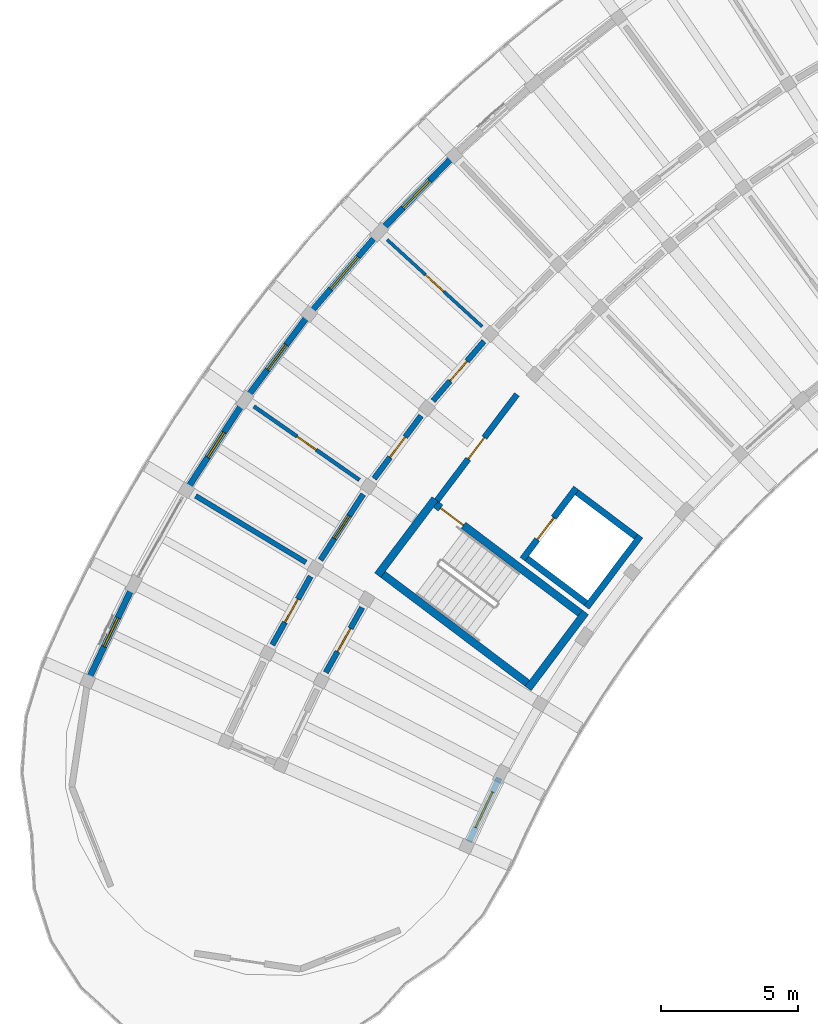
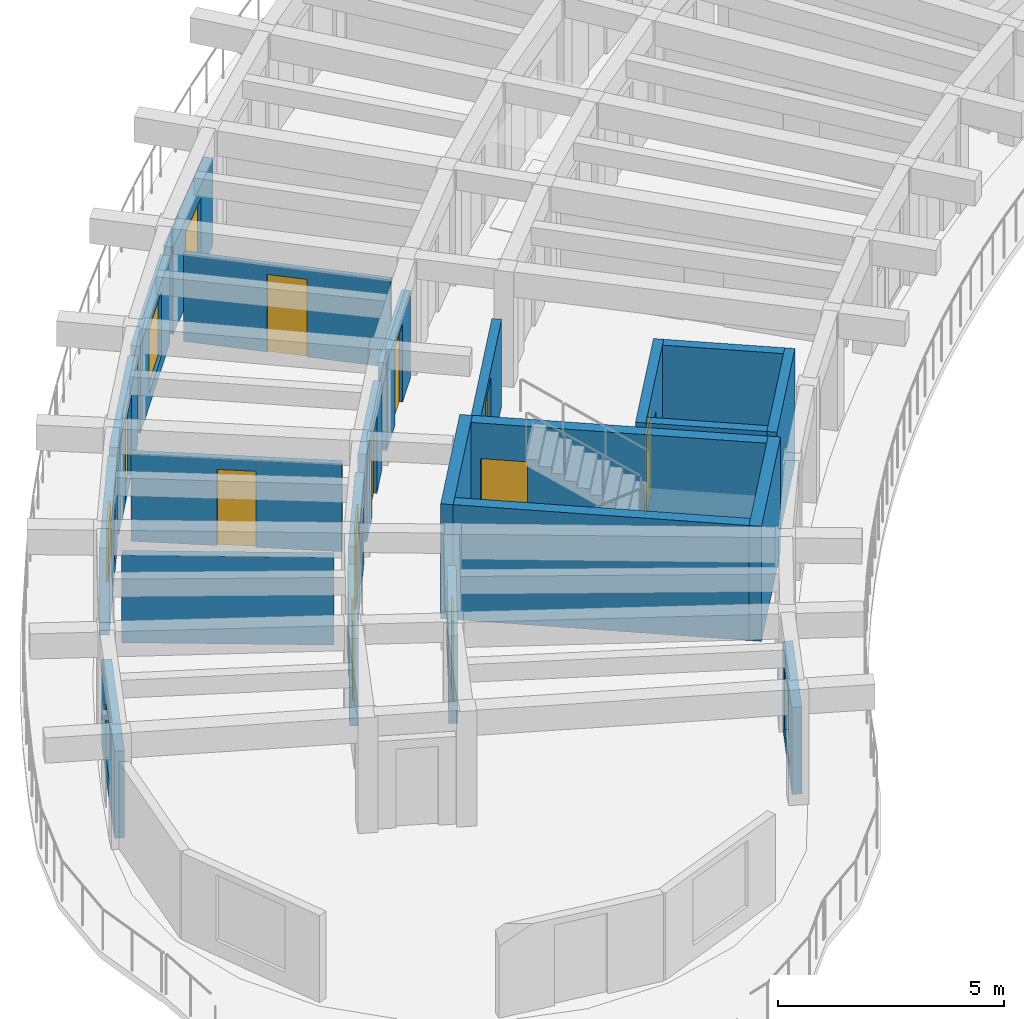
# One storey, part 19 of 36: 23 walls, 11 doors, 5 windows, 16 openings.
"""IFC4 building model written with IfcOpenShell, lengths in metres."""

from ifc_helpers import new_model, si_unit, direction, frame, frame_2d, origin, place, context, subcontext, project, spatial, rectangle, extrude, material, layer, layer_set, type_object, element, fill, save


model = new_model("IFC4")

# Units and contexts
model_context = context("Model", 3, precision=1e-05, world=origin(), true_north=direction((0.0, 1.0)))
body_context = subcontext(model_context, "Body", "Model", "MODEL_VIEW")
ifc_project = project(units=[si_unit("LENGTHUNIT", "METRE"), si_unit("AREAUNIT", "SQUARE_METRE"), si_unit("VOLUMEUNIT", "CUBIC_METRE"), si_unit("PLANEANGLEUNIT", "RADIAN"), si_unit("MASSUNIT", "GRAM", prefix="KILO")], contexts=[model_context])

# Site, building, storey
site_placement = place(None, origin())
site = spatial("IfcSite", under=ifc_project, at=site_placement, CompositionType="ELEMENT")
building_placement = place(site_placement, origin())
building = spatial("IfcBuilding", under=site, at=building_placement, Name="Tanwirah Colonnade Gardens", CompositionType="ELEMENT")
storey_placement = place(building_placement, frame((0.0, 0.0, 39.080078125)))
storey = spatial("IfcBuildingStorey", under=building, at=storey_placement, Name="L11", CompositionType="ELEMENT", Elevation=39.080078125)

# Wall, opening, window
ifc_material_1 = material(Name="Limestone architectural precast concrete C40/50", Category="masonry")
ifc_layer_1 = layer(ifc_material_1, 0.22509765625)
ifc_layer_set_1 = layer_set([ifc_layer_1], Name="Limestone architectural precast concrete C40/50")
wall_type_1 = type_object("IfcWallType", Name="EW-PC225", PredefinedType="SOLIDWALL", material=ifc_layer_set_1)
wall_1_placement = place(storey_placement, frame((23.663330078125, 103.057373046875, 0.0), z_axis=(0.0, 0.0, 1.0), x_axis=(-0.698843003546, -0.715275091412, 0.0)))
wall_1 = element("IfcWall", 1, at=wall_1_placement, inside=storey, type_object=wall_type_1, Name="Block A L11 OUT Precast Facade Wall 10", PredefinedType="SOLIDWALL", context=body_context, shape_type="SweptSolid", body=[
    extrude(rectangle(XDim=3.56591796875, YDim=0.22509765625, at=frame_2d((1.782958984375, 0.0))), origin(), (0.0, 0.0, 1.0), 2.35498046875),
])
opening_1_placement = place(wall_1_placement, frame((1.082763671875, 0.0, 0.35009765625)))
opening_1 = element("IfcOpeningElement", 2, at=opening_1_placement, cuts=wall_1, Name="Opening WIN-T06", PredefinedType="OPENING", context=body_context, shape_type="SweptSolid", body=[
    extrude(rectangle(XDim=1.39990234375, YDim=1.64990234375, at=frame_2d((0.699951171875, 0.824951171875))), frame((0.0, 0.12255859375, 0.0), z_axis=(0.0, -1.0, 0.0), x_axis=(1.0, 0.0, 0.0)), (0.0, 0.0, 1.0), 0.2451171875),
])
ifc_material_2 = material(Name="Thermally broken bronze aluminium and solar low-E double glazing", Category="aluminium")
window_type_1 = type_object("IfcWindowType", Name="WIN-T06", PartitioningType="DOUBLE_PANEL_VERTICAL", PredefinedType="WINDOW", material=ifc_material_2)
window_1_placement = place(opening_1_placement, origin())
window_1 = element("IfcWindow", 3, at=window_1_placement, inside=storey, type_object=window_type_1, Name="Facade window A-L11-OUT-10", OverallHeight=1.64990234375, OverallWidth=1.39990234375, PartitioningType="SINGLE_PANEL", PredefinedType="WINDOW", context=body_context, shape_type="SweptSolid", body=[
    extrude(rectangle(XDim=1.39990234375, YDim=1.64990234375, at=frame_2d((0.699951171875, 0.824951171875))), frame((0.0, 0.030029296875, 0.0), z_axis=(0.0, -1.0, 0.0), x_axis=(1.0, 0.0, 0.0)), (0.0, 0.0, 1.0), 0.06005859375),
])
fill(opening_1, window_1)

wall_2_placement = place(storey_placement, frame((20.948974609375, 100.263427734375, 0.0), z_axis=(0.0, 0.0, 1.0), x_axis=(-0.650170917935, -0.759787981921, 0.0)))
wall_2 = element("IfcWall", 4, at=wall_2_placement, inside=storey, type_object=wall_type_1, Name="Block A L11 OUT Precast Facade Wall 11", PredefinedType="SOLIDWALL", context=body_context, shape_type="SweptSolid", body=[
    extrude(rectangle(XDim=3.565673828125, YDim=0.22509765625, at=frame_2d((1.78271484375, 0.0))), origin(), (0.0, 0.0, 1.0), 2.35498046875),
])
opening_2_placement = place(wall_2_placement, frame((1.0078125, 0.0, 0.35009765625)))
opening_2 = element("IfcOpeningElement", 5, at=opening_2_placement, cuts=wall_2, Name="Opening WIN-T09", PredefinedType="OPENING", context=body_context, shape_type="SweptSolid", body=[
    extrude(rectangle(XDim=1.550048828125, YDim=1.75, at=frame_2d((0.77490234375, 0.875))), frame((0.0, 0.12255859375, 0.0), z_axis=(0.0, -1.0, 0.0), x_axis=(1.0, 0.0, 0.0)), (0.0, 0.0, 1.0), 0.2451171875),
])
window_type_2 = type_object("IfcWindowType", Name="WIN-T09", PartitioningType="DOUBLE_PANEL_VERTICAL", PredefinedType="WINDOW", material=ifc_material_2)
window_2_placement = place(opening_2_placement, origin())
window_2 = element("IfcWindow", 6, at=window_2_placement, inside=storey, type_object=window_type_2, Name="Facade window A-L11-OUT-11", OverallHeight=1.75, OverallWidth=1.550048828125, PartitioningType="SINGLE_PANEL", PredefinedType="WINDOW", context=body_context, shape_type="SweptSolid", body=[
    extrude(rectangle(XDim=1.550048828125, YDim=1.75, at=frame_2d((0.77490234375, 0.875))), frame((0.0, 0.030029296875, 0.0), z_axis=(0.0, -1.0, 0.0), x_axis=(1.0, 0.0, 0.0)), (0.0, 0.0, 1.0), 0.06005859375),
])
fill(opening_2, window_2)

# Wall, opening, door
wall_3_placement = place(storey_placement, frame((18.386962890625, 97.25, 0.0), z_axis=(0.0, 0.0, 1.0), x_axis=(-0.598706492663, -0.800968498533, 0.0)))
wall_3 = element("IfcWall", 7, at=wall_3_placement, inside=storey, type_object=wall_type_1, Name="Block A L11 OUT Precast Facade Wall 12", PredefinedType="SOLIDWALL", context=body_context, shape_type="SweptSolid", body=[
    extrude(rectangle(XDim=3.565673828125, YDim=0.22509765625, at=frame_2d((1.78271484375, 0.0))), origin(), (0.0, 0.0, 1.0), 2.35498046875),
])
opening_3_placement = place(wall_3_placement, frame((1.212890625, 0.0, 0.0)))
opening_3 = element("IfcOpeningElement", 8, at=opening_3_placement, cuts=wall_3, Name="Opening L11-ED055", PredefinedType="OPENING", context=body_context, shape_type="SweptSolid", body=[
    extrude(rectangle(XDim=1.139892578125, YDim=2.159912109375, at=frame_2d((0.56982421875, 1.080078125))), frame((0.0, 0.12255859375, 0.0), z_axis=(0.0, -1.0, 0.0), x_axis=(1.0, 0.0, 0.0)), (0.0, 0.0, 1.0), 0.2451171875),
])
ifc_material_3 = material(Name="Bronze aluminium glazed balcony door", Category="aluminium")
door_type_1 = type_object("IfcDoorType", Name="ED-BAL114", OperationType="NOTDEFINED", PredefinedType="DOOR", material=ifc_material_3)
door_1_placement = place(opening_3_placement, origin())
door_1 = element("IfcDoor", 9, at=door_1_placement, inside=storey, type_object=door_type_1, Name="Balcony glazed door L11-ED055", OperationType="SINGLE_SWING_RIGHT", OverallHeight=2.159912109375, OverallWidth=1.139892578125, PredefinedType="DOOR", context=body_context, shape_type="SweptSolid", body=[
    extrude(rectangle(XDim=1.139892578125, YDim=2.159912109375, at=frame_2d((0.56982421875, 1.080078125))), frame((0.0, 0.02490234375, 0.0), z_axis=(0.0, -1.0, 0.0), x_axis=(1.0, 0.0, 0.0)), (0.0, 0.0, 1.0), 0.050048828125),
])
fill(opening_3, door_1)

# Wall, opening, window
wall_4_placement = place(storey_placement, frame((16.0634765625, 94.12353515625, 0.0), z_axis=(0.0, 0.0, 1.0), x_axis=(-0.544610446702, -0.83868913272, 0.0)))
wall_4 = element("IfcWall", 10, at=wall_4_placement, inside=storey, type_object=wall_type_1, Name="Block A L11 OUT Precast Facade Wall 13", PredefinedType="SOLIDWALL", context=body_context, shape_type="SweptSolid", body=[
    extrude(rectangle(XDim=3.565673828125, YDim=0.22509765625, at=frame_2d((1.78271484375, 0.0))), origin(), (0.0, 0.0, 1.0), 2.35498046875),
])
opening_4_placement = place(wall_4_placement, frame((1.242919921875, 0.0, 0.550048828125)))
opening_4 = element("IfcOpeningElement", 11, at=opening_4_placement, cuts=wall_4, Name="Opening WIN-T15", PredefinedType="OPENING", context=body_context, shape_type="SweptSolid", body=[
    extrude(rectangle(XDim=1.080078125, YDim=1.449951171875, at=frame_2d((0.5400390625, 0.72509765625))), frame((0.0, 0.12255859375, 0.0), z_axis=(0.0, -1.0, 0.0), x_axis=(1.0, 0.0, 0.0)), (0.0, 0.0, 1.0), 0.2451171875),
])
window_type_3 = type_object("IfcWindowType", Name="WIN-T15", PartitioningType="SINGLE_PANEL", PredefinedType="WINDOW", material=ifc_material_2)
window_3_placement = place(opening_4_placement, origin())
window_3 = element("IfcWindow", 12, at=window_3_placement, inside=storey, type_object=window_type_3, Name="Facade window A-L11-OUT-13", OverallHeight=1.449951171875, OverallWidth=1.080078125, PartitioningType="SINGLE_PANEL", PredefinedType="WINDOW", context=body_context, shape_type="SweptSolid", body=[
    extrude(rectangle(XDim=1.080078125, YDim=1.449951171875, at=frame_2d((0.5400390625, 0.72509765625))), frame((0.0, 0.030029296875, 0.0), z_axis=(0.0, -1.0, 0.0), x_axis=(1.0, 0.0, 0.0)), (0.0, 0.0, 1.0), 0.06005859375),
])
fill(opening_4, window_3)

wall_5_placement = place(storey_placement, frame((12.02783203125, 87.394287109375, 0.0), z_axis=(0.0, 0.0, 1.0), x_axis=(-0.429654487413, -0.902993367332, 0.0)))
wall_5 = element("IfcWall", 13, at=wall_5_placement, inside=storey, type_object=wall_type_1, Name="Block A L11 OUT Precast Facade Wall 15", PredefinedType="SOLIDWALL", context=body_context, shape_type="SweptSolid", body=[
    extrude(rectangle(XDim=3.565673828125, YDim=0.22509765625, at=frame_2d((1.78271484375, 0.0))), origin(), (0.0, 0.0, 1.0), 2.35498046875),
])
opening_5_placement = place(wall_5_placement, frame((1.202880859375, 0.0, 0.550048828125)))
opening_5 = element("IfcOpeningElement", 14, at=opening_5_placement, cuts=wall_5, Name="Opening WIN-U01", PredefinedType="OPENING", context=body_context, shape_type="SweptSolid", body=[
    extrude(rectangle(XDim=1.159912109375, YDim=1.485107421875, at=frame_2d((0.580078125, 0.74267578125))), frame((0.0, 0.12255859375, 0.0), z_axis=(0.0, -1.0, 0.0), x_axis=(1.0, 0.0, 0.0)), (0.0, 0.0, 1.0), 0.2451171875),
])
window_type_4 = type_object("IfcWindowType", Name="WIN-U01", PartitioningType="DOUBLE_PANEL_VERTICAL", PredefinedType="WINDOW", material=ifc_material_2)
window_4_placement = place(opening_5_placement, origin())
window_4 = element("IfcWindow", 15, at=window_4_placement, inside=storey, type_object=window_type_4, Name="Facade window A-L11-OUT-15", OverallHeight=1.485107421875, OverallWidth=1.159912109375, PartitioningType="SINGLE_PANEL", PredefinedType="WINDOW", context=body_context, shape_type="SweptSolid", body=[
    extrude(rectangle(XDim=1.159912109375, YDim=1.485107421875, at=frame_2d((0.580078125, 0.74267578125))), frame((0.0, 0.030029296875, 0.0), z_axis=(0.0, -1.0, 0.0), x_axis=(1.0, 0.0, 0.0)), (0.0, 0.0, 1.0), 0.06005859375),
])
fill(opening_5, window_4)

wall_6_placement = place(storey_placement, frame((25.44189453125, 80.4609375, 0.0), z_axis=(0.0, 0.0, 1.0), x_axis=(-0.429612784627, -0.90301320881, 0.0)))
wall_6 = element("IfcWall", 16, at=wall_6_placement, inside=storey, type_object=wall_type_1, Name="Block A L11 IN Precast Facade Wall 15", PredefinedType="SOLIDWALL", context=body_context, shape_type="SweptSolid", body=[
    extrude(rectangle(XDim=2.5703125, YDim=0.22509765625, at=frame_2d((1.28515625, 0.0))), origin(), (0.0, 0.0, 1.0), 2.35498046875),
])
opening_6_placement = place(wall_6_placement, frame((0.565185546875, 0.0, 0.35009765625)))
opening_6 = element("IfcOpeningElement", 17, at=opening_6_placement, cuts=wall_6, Name="Opening WIN-U08", PredefinedType="OPENING", context=body_context, shape_type="SweptSolid", body=[
    extrude(rectangle(XDim=1.43994140625, YDim=1.659912109375, at=frame_2d((0.719970703125, 0.830078125))), frame((0.0, 0.12255859375, 0.0), z_axis=(0.0, -1.0, 0.0), x_axis=(1.0, 0.0, 0.0)), (0.0, 0.0, 1.0), 0.2451171875),
])
window_type_5 = type_object("IfcWindowType", Name="WIN-U08", PartitioningType="DOUBLE_PANEL_VERTICAL", PredefinedType="WINDOW", material=ifc_material_2)
window_5_placement = place(opening_6_placement, origin())
window_5 = element("IfcWindow", 18, at=window_5_placement, inside=storey, type_object=window_type_5, Name="Facade window A-L11-IN-15", OverallHeight=1.659912109375, OverallWidth=1.43994140625, PartitioningType="SINGLE_PANEL", PredefinedType="WINDOW", context=body_context, shape_type="SweptSolid", body=[
    extrude(rectangle(XDim=1.43994140625, YDim=1.659912109375, at=frame_2d((0.719970703125, 0.830078125))), frame((0.0, 0.030029296875, 0.0), z_axis=(0.0, -1.0, 0.0), x_axis=(1.0, 0.0, 0.0)), (0.0, 0.0, 1.0), 0.06005859375),
])
fill(opening_6, window_5)

# Wall, opening, door
ifc_material_4 = material(Name="Precast concrete C40/50", Category="concrete")
ifc_layer_2 = layer(ifc_material_4, 0.205078125)
ifc_layer_set_2 = layer_set([ifc_layer_2], Name="Precast concrete C40/50")
wall_type_2 = type_object("IfcWallType", Name="IW-CORR205", PredefinedType="PARTITIONING", material=ifc_layer_set_2)
wall_7_placement = place(storey_placement, frame((24.88720703125, 96.4111328125, 0.0), z_axis=(0.0, 0.0, 1.0), x_axis=(-0.650194272684, -0.759767996015, 0.0)))
wall_7 = element("IfcWall", 19, at=wall_7_placement, inside=storey, type_object=wall_type_2, Name="Block A L11 OUT Corridor Wall 11", PredefinedType="PARTITIONING", context=body_context, shape_type="SweptSolid", body=[
    extrude(rectangle(XDim=2.863037109375, YDim=0.205078125, at=frame_2d((1.431640625, 0.0))), origin(), (0.0, 0.0, 1.0), 2.369873046875),
])
opening_7_placement = place(wall_7_placement, frame((0.95654296875, 0.0, 0.0)))
opening_7 = element("IfcOpeningElement", 20, at=opening_7_placement, cuts=wall_7, Name="Opening L11-AD696", PredefinedType="OPENING", context=body_context, shape_type="SweptSolid", body=[
    extrude(rectangle(XDim=0.949951171875, YDim=2.1298828125, at=frame_2d((0.47509765625, 1.06494140625))), frame((0.0, 0.112548828125, 0.0), z_axis=(0.0, -1.0, 0.0), x_axis=(1.0, 0.0, 0.0)), (0.0, 0.0, 1.0), 0.22509765625),
])
ifc_material_5 = material(Name="Solid oak fire-resisting apartment entrance door")
door_type_2 = type_object("IfcDoorType", Name="ID-FLT095", OperationType="NOTDEFINED", PredefinedType="DOOR", material=ifc_material_5)
door_2_placement = place(opening_7_placement, origin())
door_2 = element("IfcDoor", 21, at=door_2_placement, inside=storey, type_object=door_type_2, Name="Apartment corridor door L11-AD696", OperationType="SINGLE_SWING_LEFT", OverallHeight=2.1298828125, OverallWidth=0.949951171875, PredefinedType="DOOR", context=body_context, shape_type="SweptSolid", body=[
    extrude(rectangle(XDim=0.949951171875, YDim=2.1298828125, at=frame_2d((0.47509765625, 1.06494140625))), frame((0.0, 0.02490234375, 0.0), z_axis=(0.0, -1.0, 0.0), x_axis=(1.0, 0.0, 0.0)), (0.0, 0.0, 1.0), 0.050048828125),
])
fill(opening_7, door_2)

wall_8_placement = place(storey_placement, frame((22.588623046875, 93.689453125, 0.0), z_axis=(0.0, 0.0, 1.0), x_axis=(-0.598757763243, -0.800930172335, 0.0)))
wall_8 = element("IfcWall", 22, at=wall_8_placement, inside=storey, type_object=wall_type_2, Name="Block A L11 OUT Corridor Wall 12", PredefinedType="PARTITIONING", context=body_context, shape_type="SweptSolid", body=[
    extrude(rectangle(XDim=2.86328125, YDim=0.205078125, at=frame_2d((1.431640625, 0.0))), origin(), (0.0, 0.0, 1.0), 2.369873046875),
])
opening_8_placement = place(wall_8_placement, frame((0.966552734375, 0.0, 0.0)))
opening_8 = element("IfcOpeningElement", 23, at=opening_8_placement, cuts=wall_8, Name="Opening L11-AD697", PredefinedType="OPENING", context=body_context, shape_type="SweptSolid", body=[
    extrude(rectangle(XDim=0.929931640625, YDim=2.1201171875, at=frame_2d((0.46484375, 1.06005859375))), frame((0.0, 0.112548828125, 0.0), z_axis=(0.0, -1.0, 0.0), x_axis=(1.0, 0.0, 0.0)), (0.0, 0.0, 1.0), 0.22509765625),
])
door_type_3 = type_object("IfcDoorType", Name="ID-FLT093", OperationType="NOTDEFINED", PredefinedType="DOOR", material=ifc_material_5)
door_3_placement = place(opening_8_placement, origin())
door_3 = element("IfcDoor", 24, at=door_3_placement, inside=storey, type_object=door_type_3, Name="Apartment corridor door L11-AD697", OperationType="SINGLE_SWING_RIGHT", OverallHeight=2.1201171875, OverallWidth=0.929931640625, PredefinedType="DOOR", context=body_context, shape_type="SweptSolid", body=[
    extrude(rectangle(XDim=0.929931640625, YDim=2.1201171875, at=frame_2d((0.46484375, 1.06005859375))), frame((0.0, 0.02490234375, 0.0), z_axis=(0.0, -1.0, 0.0), x_axis=(1.0, 0.0, 0.0)), (0.0, 0.0, 1.0), 0.050048828125),
])
fill(opening_8, door_3)

wall_9_placement = place(storey_placement, frame((20.47412109375, 90.822265625, 0.0), z_axis=(0.0, 0.0, 1.0), x_axis=(-0.544643612649, -0.838667595178, 0.0)))
wall_9 = element("IfcWall", 25, at=wall_9_placement, inside=storey, type_object=wall_type_2, Name="Block A L11 OUT Corridor Wall 13", PredefinedType="PARTITIONING", context=body_context, shape_type="SweptSolid", body=[
    extrude(rectangle(XDim=2.863037109375, YDim=0.205078125, at=frame_2d((1.431640625, 0.0))), origin(), (0.0, 0.0, 1.0), 2.369873046875),
])
opening_9_placement = place(wall_9_placement, frame((0.9365234375, 0.0, 0.0)))
opening_9 = element("IfcOpeningElement", 26, at=opening_9_placement, cuts=wall_9, Name="Opening L11-AD699", PredefinedType="OPENING", context=body_context, shape_type="SweptSolid", body=[
    extrude(rectangle(XDim=0.989990234375, YDim=2.159912109375, at=frame_2d((0.4951171875, 1.080078125))), frame((0.0, 0.112548828125, 0.0), z_axis=(0.0, -1.0, 0.0), x_axis=(1.0, 0.0, 0.0)), (0.0, 0.0, 1.0), 0.22509765625),
])
door_type_4 = type_object("IfcDoorType", Name="ID-FLT099", OperationType="NOTDEFINED", PredefinedType="DOOR", material=ifc_material_5)
door_4_placement = place(opening_9_placement, origin())
door_4 = element("IfcDoor", 27, at=door_4_placement, inside=storey, type_object=door_type_4, Name="Apartment corridor door L11-AD699", OperationType="SINGLE_SWING_LEFT", OverallHeight=2.159912109375, OverallWidth=0.989990234375, PredefinedType="DOOR", context=body_context, shape_type="SweptSolid", body=[
    extrude(rectangle(XDim=0.989990234375, YDim=2.159912109375, at=frame_2d((0.4951171875, 1.080078125))), frame((0.0, 0.02490234375, 0.0), z_axis=(0.0, -1.0, 0.0), x_axis=(1.0, 0.0, 0.0)), (0.0, 0.0, 1.0), 0.050048828125),
])
fill(opening_9, door_4)

wall_10_placement = place(storey_placement, frame((18.55322265625, 87.822021484375, 0.0), z_axis=(0.0, 0.0, 1.0), x_axis=(-0.488211211273, -0.872725508501, 0.0)))
wall_10 = element("IfcWall", 28, at=wall_10_placement, inside=storey, type_object=wall_type_2, Name="Block A L11 OUT Corridor Wall 14", PredefinedType="PARTITIONING", context=body_context, shape_type="SweptSolid", body=[
    extrude(rectangle(XDim=2.86279296875, YDim=0.205078125, at=frame_2d((1.431396484375, 0.0))), origin(), (0.0, 0.0, 1.0), 2.369873046875),
])
opening_10_placement = place(wall_10_placement, frame((0.946533203125, 0.0, 0.0)))
opening_10 = element("IfcOpeningElement", 29, at=opening_10_placement, cuts=wall_10, Name="Opening L11-AD700", PredefinedType="OPENING", context=body_context, shape_type="SweptSolid", body=[
    extrude(rectangle(XDim=0.969970703125, YDim=2.14990234375, at=frame_2d((0.48486328125, 1.074951171875))), frame((0.0, 0.112548828125, 0.0), z_axis=(0.0, -1.0, 0.0), x_axis=(1.0, 0.0, 0.0)), (0.0, 0.0, 1.0), 0.22509765625),
])
door_type_5 = type_object("IfcDoorType", Name="ID-FLT097", OperationType="NOTDEFINED", PredefinedType="DOOR", material=ifc_material_5)
door_5_placement = place(opening_10_placement, origin())
door_5 = element("IfcDoor", 30, at=door_5_placement, inside=storey, type_object=door_type_5, Name="Apartment corridor door L11-AD700", OperationType="SINGLE_SWING_RIGHT", OverallHeight=2.14990234375, OverallWidth=0.969970703125, PredefinedType="DOOR", context=body_context, shape_type="SweptSolid", body=[
    extrude(rectangle(XDim=0.969970703125, YDim=2.14990234375, at=frame_2d((0.48486328125, 1.074951171875))), frame((0.0, 0.02490234375, 0.0), z_axis=(0.0, -1.0, 0.0), x_axis=(1.0, 0.0, 0.0)), (0.0, 0.0, 1.0), 0.050048828125),
])
fill(opening_10, door_5)

wall_11_placement = place(storey_placement, frame((20.436767578125, 86.685302734375, 0.0), z_axis=(0.0, 0.0, 1.0), x_axis=(-0.48819576874, -0.872734147025, 0.0)))
wall_11 = element("IfcWall", 31, at=wall_11_placement, inside=storey, type_object=wall_type_2, Name="Block A L11 IN Corridor Wall 14", PredefinedType="PARTITIONING", context=body_context, shape_type="SweptSolid", body=[
    extrude(rectangle(XDim=2.718017578125, YDim=0.205078125, at=frame_2d((1.35888671875, 0.0))), origin(), (0.0, 0.0, 1.0), 2.369873046875),
])
opening_11_placement = place(wall_11_placement, frame((0.8740234375, 0.0, 0.0)))
opening_11 = element("IfcOpeningElement", 32, at=opening_11_placement, cuts=wall_11, Name="Opening L11-AD701", PredefinedType="OPENING", context=body_context, shape_type="SweptSolid", body=[
    extrude(rectangle(XDim=0.969970703125, YDim=2.14990234375, at=frame_2d((0.48486328125, 1.074951171875))), frame((0.0, 0.112548828125, 0.0), z_axis=(0.0, -1.0, 0.0), x_axis=(1.0, 0.0, 0.0)), (0.0, 0.0, 1.0), 0.22509765625),
])
door_6_placement = place(opening_11_placement, origin())
door_6 = element("IfcDoor", 33, at=door_6_placement, inside=storey, type_object=door_type_5, Name="Apartment corridor door L11-AD701", OperationType="SINGLE_SWING_LEFT", OverallHeight=2.14990234375, OverallWidth=0.969970703125, PredefinedType="DOOR", context=body_context, shape_type="SweptSolid", body=[
    extrude(rectangle(XDim=0.969970703125, YDim=2.14990234375, at=frame_2d((0.48486328125, 1.074951171875))), frame((0.0, 0.02490234375, 0.0), z_axis=(0.0, -1.0, 0.0), x_axis=(1.0, 0.0, 0.0)), (0.0, 0.0, 1.0), 0.050048828125),
])
fill(opening_11, door_6)

# Wall
ifc_layer_3 = layer(ifc_material_4, 0.18505859375)
ifc_layer_set_3 = layer_set([ifc_layer_3], Name="Precast concrete C40/50")
wall_type_3 = type_object("IfcWallType", Name="IW-DEM185", PredefinedType="PARTITIONING", material=ifc_layer_set_3)
wall_12_placement = place(storey_placement, frame((18.381591796875, 88.334228515625, 0.0), z_axis=(0.0, 0.0, 1.0), x_axis=(-0.856165473929, 0.516701733356, 0.0)))
element("IfcWall", 34, at=wall_12_placement, inside=storey, type_object=wall_type_3, Name="Block A L11 Radial Partition 13", PredefinedType="PARTITIONING", context=body_context, shape_type="SweptSolid", body=[
    extrude(rectangle(XDim=4.699951171875, YDim=0.18505859375, at=frame_2d((2.35009765625, 0.0))), origin(), (0.0, 0.0, 1.0), 2.369873046875),
])

# Wall, opening, door
ifc_material_6 = material(Name="Autoclaved aerated masonry blockwork", Category="masonry")
ifc_layer_4 = layer(ifc_material_6, 0.219970703125)
ifc_layer_set_4 = layer_set([ifc_layer_4], Name="Autoclaved aerated masonry blockwork")
wall_type_4 = type_object("IfcWallType", Name="IW-FFL220", PredefinedType="PARTITIONING", material=ifc_layer_set_4)
wall_13_placement = place(storey_placement, frame((23.138916015625, 90.55517578125, 0.0), z_axis=(0.0, 0.0, 1.0), x_axis=(0.601792209296, 0.79865270101, 0.0)))
wall_13 = element("IfcWall", 35, at=wall_13_placement, inside=storey, type_object=wall_type_4, Name="CORE-A2 L11 Enclosed Lobby Fire Wall", PredefinedType="PARTITIONING", context=body_context, shape_type="SweptSolid", body=[
    extrude(rectangle(XDim=4.89990234375, YDim=0.219970703125, at=frame_2d((2.449951171875, 0.0))), origin(), (0.0, 0.0, 1.0), 2.33984375),
])
opening_12_placement = place(wall_13_placement, frame((1.949951171875, 0.0, 0.0)))
opening_12 = element("IfcOpeningElement", 36, at=opening_12_placement, cuts=wall_13, Name="Opening L11-LD061", PredefinedType="OPENING", context=body_context, shape_type="SweptSolid", body=[
    extrude(rectangle(XDim=0.97998046875, YDim=2.139892578125, at=frame_2d((0.489990234375, 1.06982421875))), frame((0.0, 0.119873046875, 0.0), z_axis=(0.0, -1.0, 0.0), x_axis=(1.0, 0.0, 0.0)), (0.0, 0.0, 1.0), 0.239990234375),
])
ifc_material_7 = material(Name="Acoustic fire-resisting lobby door")
door_type_6 = type_object("IfcDoorType", Name="ID-FFL098", OperationType="NOTDEFINED", PredefinedType="DOOR", material=ifc_material_7)
door_7_placement = place(opening_12_placement, origin())
door_7 = element("IfcDoor", 37, at=door_7_placement, inside=storey, type_object=door_type_6, Name="CORE-A2 L11 Lobby Fire Door L11-LD061", OperationType="SINGLE_SWING_RIGHT", OverallHeight=2.139892578125, OverallWidth=0.97998046875, PredefinedType="DOOR", context=body_context, shape_type="SweptSolid", body=[
    extrude(rectangle(XDim=0.97998046875, YDim=2.139892578125, at=frame_2d((0.489990234375, 1.06982421875))), frame((0.0, 0.02490234375, 0.0), z_axis=(0.0, -1.0, 0.0), x_axis=(1.0, 0.0, 0.0)), (0.0, 0.0, 1.0), 0.050048828125),
])
fill(opening_12, door_7)

ifc_material_8 = material(Name="Acoustic gypsum stud partition")
ifc_layer_5 = layer(ifc_material_8, 0.114990234375)
ifc_layer_set_5 = layer_set([ifc_layer_5], Name="Acoustic gypsum stud partition")
wall_type_5 = type_object("IfcWallType", Name="IW-INT115", PredefinedType="PARTITIONING", material=ifc_layer_set_5)
wall_14_placement = place(storey_placement, frame((24.819580078125, 96.947021484375, 0.0), z_axis=(0.0, 0.0, 1.0), x_axis=(-0.737934199263, 0.674872667663, 0.0)))
wall_14 = element("IfcWall", 38, at=wall_14_placement, inside=storey, type_object=wall_type_5, Name="Block A L11 Radial Partition 10", PredefinedType="PARTITIONING", context=body_context, shape_type="SweptSolid", body=[
    extrude(rectangle(XDim=4.699951171875, YDim=0.114990234375, at=frame_2d((2.35009765625, 0.0))), origin(), (0.0, 0.0, 1.0), 2.369873046875),
])
opening_13_placement = place(wall_14_placement, frame((1.89501953125, 0.0, 0.0)))
opening_13 = element("IfcOpeningElement", 39, at=opening_13_placement, cuts=wall_14, Name="Opening L11-RD695", PredefinedType="OPENING", context=body_context, shape_type="SweptSolid", body=[
    extrude(rectangle(XDim=0.909912109375, YDim=2.10009765625, at=frame_2d((0.455078125, 1.050048828125))), frame((0.0, 0.0673828125, 0.0), z_axis=(0.0, -1.0, 0.0), x_axis=(1.0, 0.0, 0.0)), (0.0, 0.0, 1.0), 0.135009765625),
])
ifc_material_9 = material(Name="Painted hardwood internal room door", Category="wood")
door_type_7 = type_object("IfcDoorType", Name="ID-RM091", OperationType="NOTDEFINED", PredefinedType="DOOR", material=ifc_material_9)
door_8_placement = place(opening_13_placement, origin())
door_8 = element("IfcDoor", 40, at=door_8_placement, inside=storey, type_object=door_type_7, Name="Internal apartment door L11-RD695", OperationType="SINGLE_SWING_RIGHT", OverallHeight=2.10009765625, OverallWidth=0.909912109375, PredefinedType="DOOR", context=body_context, shape_type="SweptSolid", body=[
    extrude(rectangle(XDim=0.909912109375, YDim=2.10009765625, at=frame_2d((0.455078125, 1.050048828125))), frame((0.0, 0.02490234375, 0.0), z_axis=(0.0, -1.0, 0.0), x_axis=(1.0, 0.0, 0.0)), (0.0, 0.0, 1.0), 0.050048828125),
])
fill(opening_13, door_8)

ifc_material_10 = material(Name="Water-resistant acoustic plumbing partition")
ifc_layer_6 = layer(ifc_material_10, 0.139892578125)
ifc_layer_set_6 = layer_set([ifc_layer_6], Name="Water-resistant acoustic plumbing partition")
wall_type_6 = type_object("IfcWallType", Name="IW-WET140", PredefinedType="PLUMBINGWALL", material=ifc_layer_set_6)
wall_15_placement = place(storey_placement, frame((20.336669921875, 91.3447265625, 0.0), z_axis=(0.0, 0.0, 1.0), x_axis=(-0.820272617205, 0.571972755876, 0.0)))
wall_15 = element("IfcWall", 41, at=wall_15_placement, inside=storey, type_object=wall_type_6, Name="Block A L11 Radial Partition 12", PredefinedType="PLUMBINGWALL", context=body_context, shape_type="SweptSolid", body=[
    extrude(rectangle(XDim=4.699951171875, YDim=0.139892578125, at=frame_2d((2.35009765625, 0.0))), origin(), (0.0, 0.0, 1.0), 2.369873046875),
])
opening_14_placement = place(wall_15_placement, frame((1.919921875, 0.0, 0.0)))
opening_14 = element("IfcOpeningElement", 42, at=opening_14_placement, cuts=wall_15, Name="Opening L11-RD698", PredefinedType="OPENING", context=body_context, shape_type="SweptSolid", body=[
    extrude(rectangle(XDim=0.860107421875, YDim=2.06005859375, at=frame_2d((0.43017578125, 1.030029296875))), frame((0.0, 0.079833984375, 0.0), z_axis=(0.0, -1.0, 0.0), x_axis=(1.0, 0.0, 0.0)), (0.0, 0.0, 1.0), 0.159912109375),
])
ifc_material_11 = material(Name="Moisture-resistant bathroom door")
door_type_8 = type_object("IfcDoorType", Name="ID-WET086", OperationType="NOTDEFINED", PredefinedType="DOOR", material=ifc_material_11)
door_9_placement = place(opening_14_placement, origin())
door_9 = element("IfcDoor", 43, at=door_9_placement, inside=storey, type_object=door_type_8, Name="Internal apartment door L11-RD698", OperationType="SINGLE_SWING_RIGHT", OverallHeight=2.06005859375, OverallWidth=0.860107421875, PredefinedType="DOOR", context=body_context, shape_type="SweptSolid", body=[
    extrude(rectangle(XDim=0.860107421875, YDim=2.06005859375, at=frame_2d((0.43017578125, 1.030029296875))), frame((0.0, 0.02490234375, 0.0), z_axis=(0.0, -1.0, 0.0), x_axis=(1.0, 0.0, 0.0)), (0.0, 0.0, 1.0), 0.050048828125),
])
fill(opening_14, door_9)

# Walls
ifc_material_12 = material(Name="Concrete C45/55", Category="concrete")
ifc_layer_7 = layer(ifc_material_12, 0.280029296875)
ifc_layer_set_7 = layer_set([ifc_layer_7], Name="Concrete C45/55")
wall_type_7 = type_object("IfcWallType", Name="SW-CORE280", PredefinedType="SHEAR", material=ifc_layer_set_7)
wall_16_placement = place(storey_placement, frame((21.19873046875, 87.8974609375, 0.0), z_axis=(0.0, 0.0, 1.0), x_axis=(0.798639633744, -0.601809550782, 0.0)))
element("IfcWall", 44, at=wall_16_placement, inside=storey, type_object=wall_type_7, Name="CORE-A2 L11 Stair Shaft Shear Wall LEFT", PredefinedType="SHEAR", context=body_context, shape_type="SweptSolid", body=[
    extrude(rectangle(XDim=6.599853515625, YDim=0.280029296875, at=frame_2d((3.2998046875, 0.0))), origin(), (0.0, 0.0, 1.0), 3.10986328125),
])
for number, where, z_axis, x_axis, name in (
    (45, (26.497314453125, 83.7294921875, 0.0), (0.0, 0.0, 1.0), (0.601794470585, 0.798650997102, 0.0), "CORE-A2 L11 Stair Shaft Shear Wall FAR"),
    (46, (21.002685546875, 87.869873046875, 0.0), (0.0, 0.0, 1.0), (0.601794470585, 0.798650997102, 0.0), "CORE-A2 L11 Stair Shaft Shear Wall NEAR"),
):
    element("IfcWall", number, at=place(storey_placement, frame(where, z_axis=z_axis, x_axis=x_axis)), inside=storey, type_object=wall_type_7, Name=name, PredefinedType="SHEAR", context=body_context, shape_type="SweptSolid", body=[
        extrude(rectangle(XDim=3.47998046875, YDim=0.280029296875, at=frame_2d((1.739990234375, 0.0))), origin(), (0.0, 0.0, 1.0), 3.10986328125),
    ])

# Wall, opening, door
wall_17_placement = place(storey_placement, frame((23.12451171875, 90.453125, 0.0), z_axis=(0.0, 0.0, 1.0), x_axis=(0.798639633744, -0.601809550782, 0.0)))
wall_17 = element("IfcWall", 47, at=wall_17_placement, inside=storey, type_object=wall_type_7, Name="CORE-A2 L11 Stair Shaft Shear Wall RIGHT", PredefinedType="SHEAR", context=body_context, shape_type="SweptSolid", body=[
    extrude(rectangle(XDim=6.599853515625, YDim=0.280029296875, at=frame_2d((3.2998046875, 0.0))), origin(), (0.0, 0.0, 1.0), 3.10986328125),
])
opening_15_placement = place(wall_17_placement, frame((0.219970703125, 0.0, 0.0)))
opening_15 = element("IfcOpeningElement", 48, at=opening_15_placement, cuts=wall_17, Name="Opening L11-SD045", PredefinedType="OPENING", context=body_context, shape_type="SweptSolid", body=[
    extrude(rectangle(XDim=1.050048828125, YDim=2.14990234375, at=frame_2d((0.52490234375, 1.074951171875))), frame((0.0, 0.14990234375, 0.0), z_axis=(0.0, -1.0, 0.0), x_axis=(1.0, 0.0, 0.0)), (0.0, 0.0, 1.0), 0.300048828125),
])
ifc_material_13 = material(Name="Steel fire-resisting stair enclosure door", Category="steel")
door_type_9 = type_object("IfcDoorType", Name="ID-ST105", OperationType="NOTDEFINED", PredefinedType="DOOR", material=ifc_material_13)
door_10_placement = place(opening_15_placement, origin())
door_10 = element("IfcDoor", 49, at=door_10_placement, inside=storey, type_object=door_type_9, Name="CORE-A2 L11 Stair Fire Door L11-SD045", OperationType="SINGLE_SWING_RIGHT", OverallHeight=2.14990234375, OverallWidth=1.050048828125, PredefinedType="DOOR", context=body_context, shape_type="SweptSolid", body=[
    extrude(rectangle(XDim=1.050048828125, YDim=2.14990234375, at=frame_2d((0.52490234375, 1.074951171875))), frame((0.0, 0.02490234375, 0.0), z_axis=(0.0, -1.0, 0.0), x_axis=(1.0, 0.0, 0.0)), (0.0, 0.0, 1.0), 0.050048828125),
])
fill(opening_15, door_10)

ifc_layer_8 = layer(ifc_material_12, 0.22998046875)
ifc_layer_set_8 = layer_set([ifc_layer_8], Name="Concrete C45/55")
wall_type_8 = type_object("IfcWallType", Name="SW-LIFT230", PredefinedType="SHEAR", material=ifc_layer_set_8)
wall_18_placement = place(storey_placement, frame((26.2939453125, 88.452880859375, 0.0), z_axis=(0.0, 0.0, 1.0), x_axis=(0.601819781152, 0.798631924615, 0.0)))
wall_18 = element("IfcWall", 50, at=wall_18_placement, inside=storey, type_object=wall_type_8, Name="CORE-A2 L11 Lift Shaft Wall FRONT", PredefinedType="SHEAR", context=body_context, shape_type="SweptSolid", body=[
    extrude(rectangle(XDim=3.260009765625, YDim=0.22998046875, at=frame_2d((1.6298828125, 0.0))), origin(), (0.0, 0.0, 1.0), 3.10986328125),
])
opening_16_placement = place(wall_18_placement, frame((0.89990234375, 0.0, 0.0)))
opening_16 = element("IfcOpeningElement", 51, at=opening_16_placement, cuts=wall_18, Name="Opening L11-LD-PL-A2", PredefinedType="OPENING", context=body_context, shape_type="SweptSolid", body=[
    extrude(rectangle(XDim=1.0, YDim=2.14990234375, at=frame_2d((0.5, 1.074951171875))), frame((0.0, 0.125, 0.0), z_axis=(0.0, -1.0, 0.0), x_axis=(1.0, 0.0, 0.0)), (0.0, 0.0, 1.0), 0.25),
])
ifc_material_14 = material(Name="Bronze stainless steel sliding lift landing door", Category="steel")
door_type_10 = type_object("IfcDoorType", Name="LD-PS10", OperationType="DOUBLE_DOOR_SLIDING", PredefinedType="DOOR", material=ifc_material_14)
door_11_placement = place(opening_16_placement, origin())
door_11 = element("IfcDoor", 52, at=door_11_placement, inside=storey, type_object=door_type_10, Name="Lift PL-A2 L11 Sliding Landing Door", OperationType="DOUBLE_DOOR_SLIDING", OverallHeight=2.14990234375, OverallWidth=1.0, PredefinedType="DOOR", context=body_context, shape_type="SweptSolid", body=[
    extrude(rectangle(XDim=1.0, YDim=2.14990234375, at=frame_2d((0.5, 1.074951171875))), frame((0.0, 0.02490234375, 0.0), z_axis=(0.0, -1.0, 0.0), x_axis=(1.0, 0.0, 0.0)), (0.0, 0.0, 1.0), 0.050048828125),
])
fill(opening_16, door_11)

# Walls
wall_19_placement = place(storey_placement, frame((28.634033203125, 86.689697265625, 0.0), z_axis=(0.0, 0.0, 1.0), x_axis=(0.601819781152, 0.798631924615, 0.0)))
element("IfcWall", 53, at=wall_19_placement, inside=storey, type_object=wall_type_8, Name="CORE-A2 L11 Lift Shaft Wall BACK", PredefinedType="SHEAR", context=body_context, shape_type="SweptSolid", body=[
    extrude(rectangle(XDim=3.260009765625, YDim=0.22998046875, at=frame_2d((1.6298828125, 0.0))), origin(), (0.0, 0.0, 1.0), 3.10986328125),
])
for number, where, z_axis, x_axis, name in (
    (54, (26.455078125, 88.4755859375, 0.0), (0.0, 0.0, 1.0), (0.798608971494, -0.601850239387, 0.0), "CORE-A2 L11 Lift Shaft Wall SIDEA"),
    (55, (28.278564453125, 90.8955078125, 0.0), (0.0, 0.0, 1.0), (0.798608971494, -0.601850239387, 0.0), "CORE-A2 L11 Lift Shaft Wall SIDEB"),
):
    element("IfcWall", number, at=place(storey_placement, frame(where, z_axis=z_axis, x_axis=x_axis)), inside=storey, type_object=wall_type_8, Name=name, PredefinedType="SHEAR", context=body_context, shape_type="SweptSolid", body=[
        extrude(rectangle(XDim=2.699951171875, YDim=0.22998046875, at=frame_2d((1.35009765625, 0.0))), origin(), (0.0, 0.0, 1.0), 3.10986328125),
    ])

save(model, "model.ifc")
